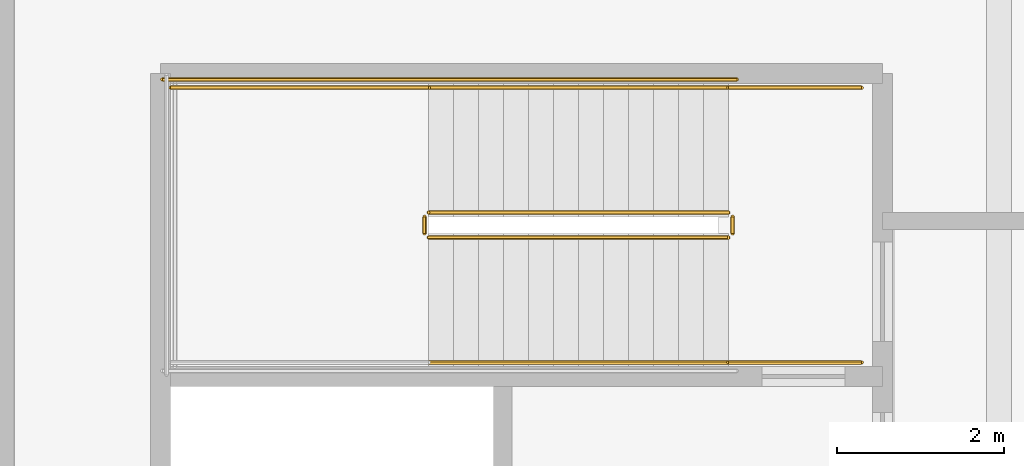
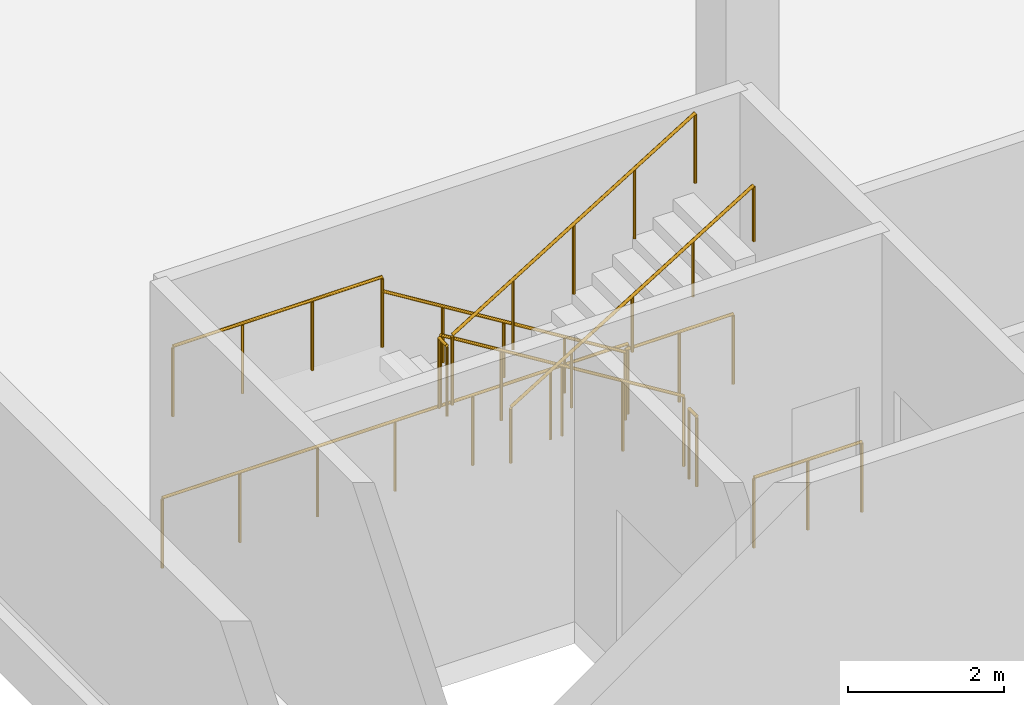
# One storey, part 91 of 112: 10 railings.
"""IFC4 building model written with IfcOpenShell, lengths in metres."""

import ifcopenshell
import ifcopenshell.guid

model = None  # the IFC model being written
_history = None  # IfcOwnerHistory: only IFC2X3 demands one
_inside = {}  # id of a spatial element -> (the spatial element, [elements in it])
_under = {}  # id of a project, library or spatial element -> (it, [spatial elements below it])
_declared = {}  # id of a project -> (the project, [libraries it declares])
_typed = {}  # id of a type object -> (the type object, [elements of that type])
_made_of = {}  # id of a material, layer set ... -> (it, [elements and type objects made of it])


def new_model(schema):
    """Start an empty IFC model of exactly this schema.

    Asked for "IFC4X3", IfcOpenShell would pick the latest addendum, in which some entities
    have other attributes; the version numbers below select the first issue.
    IFC2X3 requires an IfcOwnerHistory on every rooted entity: one is made here for all.
    """
    global model, _history
    if schema == "IFC4X3":
        model = ifcopenshell.file(schema_version=(4, 3, 0, 0))
    else:
        model = ifcopenshell.file(schema=schema)
    _inside.clear()
    _under.clear()
    _declared.clear()
    _typed.clear()
    _made_of.clear()
    _history = None
    if model.schema == "IFC2X3":
        org = make("IfcOrganization", Name="unknown")
        user = make(
            "IfcPersonAndOrganization",
            ThePerson=make("IfcPerson", FamilyName="unknown"),
            TheOrganization=org,
        )
        app = make(
            "IfcApplication",
            ApplicationDeveloper=org,
            Version="unknown",
            ApplicationFullName="unknown",
            ApplicationIdentifier="unknown",
        )
        _history = make(
            "IfcOwnerHistory",
            OwningUser=user,
            OwningApplication=app,
            ChangeAction="ADDED",
            CreationDate=0,
        )
    return model


def make(cls, **values):
    """One entity of the class cls with the attributes given. An attribute that is None is left unset."""
    return model.create_entity(
        cls, **{name: value for name, value in values.items() if value is not None}
    )


def rooted(cls, **values):
    """An entity with a GlobalId (a new one), such as an element, a storey or a relation."""
    return make(cls, GlobalId=ifcopenshell.guid.new(), OwnerHistory=_history, **values)


def si_unit(unit_type, name, prefix=None):
    """IfcSIUnit, for example si_unit("LENGTHUNIT", "METRE", prefix="MILLI")."""
    return make("IfcSIUnit", UnitType=unit_type, Prefix=prefix, Name=name)


def assignment(units):
    """IfcUnitAssignment: the units of a project."""
    return None if units is None else make("IfcUnitAssignment", Units=units)


def point(xyz):
    """IfcCartesianPoint."""
    return None if xyz is None else make("IfcCartesianPoint", Coordinates=xyz)


def direction(xyz):
    """IfcDirection."""
    return None if xyz is None else make("IfcDirection", DirectionRatios=xyz)


def frame(location, z_axis=None, x_axis=None):
    """IfcAxis2Placement3D, a coordinate frame: its origin and axes. An axis left out is left unset."""
    return make(
        "IfcAxis2Placement3D",
        Location=point(location),
        Axis=direction(z_axis),
        RefDirection=direction(x_axis),
    )


def frame_2d(location, x_axis=None):
    """IfcAxis2Placement2D, a coordinate frame in the plane: its origin and x axis."""
    return make(
        "IfcAxis2Placement2D", Location=point(location), RefDirection=direction(x_axis)
    )


def origin():
    """The frame at (0, 0, 0) with its axes left unset."""
    return frame((0.0, 0.0, 0.0))


def origin_2d():
    """The frame at (0, 0) in the plane with its x axis left unset."""
    return frame_2d((0.0, 0.0))


def place(relative_to, where):
    """IfcLocalPlacement: puts the frame where relative to a parent placement (None: the world)."""
    return make(
        "IfcLocalPlacement", PlacementRelTo=relative_to, RelativePlacement=where
    )


def context(
    kind, dimensions, precision=None, world=None, true_north=None, identifier=None
):
    """IfcGeometricRepresentationContext, for example the 3D "Model" context."""
    return make(
        "IfcGeometricRepresentationContext",
        ContextIdentifier=identifier,
        ContextType=kind,
        CoordinateSpaceDimension=dimensions,
        Precision=precision,
        WorldCoordinateSystem=world,
        TrueNorth=true_north,
    )


def subcontext(parent, identifier, kind, view, scale=None):
    """IfcGeometricRepresentationSubContext, for example "Body" below "Model"."""
    return make(
        "IfcGeometricRepresentationSubContext",
        ContextIdentifier=identifier,
        ContextType=kind,
        ParentContext=parent,
        TargetScale=scale,
        TargetView=view,
    )


def project(units=None, contexts=None):
    """IfcProject with its units and contexts."""
    return rooted(
        "IfcProject",
        Name="project",
        RepresentationContexts=contexts,
        UnitsInContext=assignment(units),
    )


def spatial(cls, under=None, at=None, **own):
    """A site, building, storey or space (cls), placed at a placement, below another one or the project."""
    s = rooted(cls, ObjectPlacement=at, **own)
    if under is not None:
        _under.setdefault(under.id(), (under, []))[1].append(s)
    return s


def profile(cls, at=None, kind="AREA", **sizes):
    """A parametric profile (cls). Its sizes go by their IFC names, for example OverallWidth=200.0."""
    return make(cls, ProfileType=kind, Position=at, **sizes)


def circle(**sizes):
    """IfcCircleProfileDef."""
    return profile("IfcCircleProfileDef", **sizes)


def extrude(swept, where, along, depth):
    """IfcExtrudedAreaSolid: the profile swept, set in the frame where, extruded along a direction by depth."""
    return make(
        "IfcExtrudedAreaSolid",
        SweptArea=swept,
        Position=where,
        ExtrudedDirection=direction(along),
        Depth=depth,
    )


def shape(context_of_items, identifier, shape_type, items):
    """IfcShapeRepresentation: the items that make up one representation, for example the "Body"."""
    return make(
        "IfcShapeRepresentation",
        ContextOfItems=context_of_items,
        RepresentationIdentifier=identifier,
        RepresentationType=shape_type,
        Items=items,
    )


def material(Name=None, Category=None):
    """IfcMaterial."""
    return make("IfcMaterial", Name=Name, Category=Category)


def made_of(thing, what):
    """Note that an element or type object is made of a material, layer set ...; save() writes the relation."""
    if what is not None:
        _made_of.setdefault(what.id(), (what, []))[1].append(thing)
    return thing


def type_object(cls, material=None, **own):
    """A type object (cls), such as IfcWallType, which elements share."""
    return made_of(rooted(cls, **own), material)


def element(
    cls,
    number,
    at=None,
    inside=None,
    cuts=None,
    type_object=None,
    material=None,
    context=None,
    identifier="Body",
    shape_type=None,
    held_by="IfcProductDefinitionShape",
    body=None,
    shapes=None,
    **own,
):
    """One element of the class cls, such as IfcWall. Its Tag is "e" and its number.

    at: its placement. inside: the storey or other place that contains it. cuts: it is an
    opening in that element (IfcRelVoidsElement). A single representation is given by context,
    identifier, shape_type and body (its items); several are given by shapes. held_by: the class
    of the entity that holds the representations. save() writes the other relations.
    """
    e = rooted(cls, Tag="e%d" % number, ObjectPlacement=at, **own)
    if body is not None:
        shapes = [shape(context, identifier, shape_type, body)]
    if shapes is not None:
        e.Representation = make(held_by, Representations=shapes)
    if inside is not None:
        _inside.setdefault(inside.id(), (inside, []))[1].append(e)
    if cuts is not None:
        rooted(
            "IfcRelVoidsElement", RelatingBuildingElement=cuts, RelatedOpeningElement=e
        )
    if type_object is not None:
        _typed.setdefault(type_object.id(), (type_object, []))[1].append(e)
    return made_of(e, material)


def aggregate(whole, parts):
    """IfcRelAggregates: a whole, such as a stair, and the parts it consists of."""
    return rooted("IfcRelAggregates", RelatingObject=whole, RelatedObjects=parts)


def save(model, path):
    """Write the relations noted so far, then the file.

    IfcRelAggregates (storeys below a building ...), IfcRelContainedInSpatialStructure (elements
    in a storey), IfcRelDefinesByType, IfcRelAssociatesMaterial and IfcRelDeclares: one each for
    every whole, place, type object, material and project.
    """
    for whole, parts in _under.values():
        aggregate(whole, parts)
    for where, things in _inside.values():
        rooted(
            "IfcRelContainedInSpatialStructure",
            RelatedElements=things,
            RelatingStructure=where,
        )
    for kind, things in _typed.values():
        rooted("IfcRelDefinesByType", RelatedObjects=things, RelatingType=kind)
    for what, things in _made_of.values():
        rooted("IfcRelAssociatesMaterial", RelatedObjects=things, RelatingMaterial=what)
    for by, libraries in _declared.values():
        rooted("IfcRelDeclares", RelatingContext=by, RelatedDefinitions=libraries)
    model.write(path)


model = new_model("IFC4")

# Units and contexts
model_context = context("Model", 3, precision=1e-05, world=origin(), true_north=direction((0.0, 1.0)))
body_context = subcontext(model_context, "Body", "Model", "MODEL_VIEW")
ifc_project = project(units=[si_unit("LENGTHUNIT", "METRE"), si_unit("AREAUNIT", "SQUARE_METRE"), si_unit("VOLUMEUNIT", "CUBIC_METRE"), si_unit("PLANEANGLEUNIT", "RADIAN"), si_unit("MASSUNIT", "GRAM", prefix="KILO")], contexts=[model_context])

# Site, building, storey
site_placement = place(None, origin())
site = spatial("IfcSite", under=ifc_project, at=site_placement, CompositionType="ELEMENT")
building_placement = place(site_placement, origin())
building = spatial("IfcBuilding", under=site, at=building_placement, Name="Kamomehara Wholesale Market", CompositionType="ELEMENT")
storey_placement = place(building_placement, frame((0.0, 0.0, 6.60009765625)))
storey = spatial("IfcBuildingStorey", under=building, at=storey_placement, Name="L01", CompositionType="ELEMENT", Elevation=6.60009765625)

# Railings
ifc_material_1 = material(Name="Steel SN400B", Category="steel")
railing_type_1 = type_object("IfcRailingType", Name="RAL-HND-900", PredefinedType="HANDRAIL", material=ifc_material_1)
railing_1_placement = place(storey_placement, frame((8.75, 69.25, 0.1845703125)))
element("IfcRailing", 1, at=railing_1_placement, inside=storey, type_object=railing_type_1, Name="L01 ST-03 stair handrail 1", PredefinedType="HANDRAIL", context=body_context, shape_type="SweptSolid", body=[
    extrude(circle(Radius=0.02392578125, at=origin_2d()), frame((0.0, 0.0, 0.8759765625), z_axis=(-0.85167021472, 0.0, 0.524078090897), x_axis=(0.0, -1.0, 0.0)), (0.0, 0.0, 1.0), 4.22705078125),
    extrude(circle(Radius=0.02099609375, at=origin_2d()), origin(), (0.0, 0.0, 1.0), 0.851806640625),
    extrude(circle(Radius=0.02099609375, at=origin_2d()), frame((-0.89990234375, 0.0, 0.5537109375)), (0.0, 0.0, 1.0), 0.851806640625),
    extrude(circle(Radius=0.02099609375, at=origin_2d()), frame((-1.800048828125, 0.0, 1.107666015625)), (0.0, 0.0, 1.0), 0.851806640625),
    extrude(circle(Radius=0.02099609375, at=origin_2d()), frame((-2.7001953125, 0.0, 1.66162109375)), (0.0, 0.0, 1.0), 0.851806640625),
    extrude(circle(Radius=0.02099609375, at=origin_2d()), frame((-3.60009765625, 0.0, 2.21533203125)), (0.0, 0.0, 1.0), 0.851806640625),
])
railing_2_placement = place(storey_placement, frame((5.14990234375, 65.949951171875, 2.58447265625)))
element("IfcRailing", 2, at=railing_2_placement, inside=storey, type_object=railing_type_1, Name="L01 ST-03 stair handrail 2", PredefinedType="HANDRAIL", context=body_context, shape_type="SweptSolid", body=[
    extrude(circle(Radius=0.02392578125, at=origin_2d()), frame((0.0, 0.0, 0.8759765625), z_axis=(0.85167021472, 0.0, 0.524078090897), x_axis=(0.0, 1.0, 0.0)), (0.0, 0.0, 1.0), 4.22705078125),
    extrude(circle(Radius=0.02099609375, at=origin_2d()), origin(), (0.0, 0.0, 1.0), 0.851806640625),
    extrude(circle(Radius=0.02099609375, at=origin_2d()), frame((0.89990234375, 0.0, 0.5537109375)), (0.0, 0.0, 1.0), 0.851806640625),
    extrude(circle(Radius=0.02099609375, at=origin_2d()), frame((1.800048828125, 0.0, 1.107666015625)), (0.0, 0.0, 1.0), 0.851806640625),
    extrude(circle(Radius=0.02099609375, at=origin_2d()), frame((2.7001953125, 0.0, 1.66162109375)), (0.0, 0.0, 1.0), 0.851806640625),
    extrude(circle(Radius=0.02099609375, at=origin_2d()), frame((3.60009765625, 0.0, 2.21533203125)), (0.0, 0.0, 1.0), 0.851806640625),
])
ifc_material_2 = material(Name="Steel SN400B", Category="steel")
railing_type_2 = type_object("IfcRailingType", Name="RAL-INT-1100", PredefinedType="BALUSTRADE", material=ifc_material_2)
railing_3_placement = place(storey_placement, frame((8.75, 67.75, 0.1845703125)))
element("IfcRailing", 3, at=railing_3_placement, inside=storey, type_object=railing_type_2, Name="L01 ST-03 stair guard 1", PredefinedType="BALUSTRADE", context=body_context, shape_type="SweptSolid", body=[
    extrude(circle(Radius=0.02392578125, at=origin_2d()), frame((0.0, 0.0, 1.09619140625), z_axis=(-0.85167021472, 0.0, 0.524078090897), x_axis=(0.0, -1.0, 0.0)), (0.0, 0.0, 1.0), 4.22705078125),
    extrude(circle(Radius=0.02099609375, at=origin_2d()), origin(), (0.0, 0.0, 1.0), 1.072021484375),
    extrude(circle(Radius=0.02099609375, at=origin_2d()), frame((-0.89990234375, 0.0, 0.5537109375)), (0.0, 0.0, 1.0), 1.072021484375),
    extrude(circle(Radius=0.02099609375, at=origin_2d()), frame((-1.800048828125, 0.0, 1.107666015625)), (0.0, 0.0, 1.0), 1.072021484375),
    extrude(circle(Radius=0.02099609375, at=origin_2d()), frame((-2.7001953125, 0.0, 1.66162109375)), (0.0, 0.0, 1.0), 1.072021484375),
    extrude(circle(Radius=0.02099609375, at=origin_2d()), frame((-3.60009765625, 0.0, 2.21533203125)), (0.0, 0.0, 1.0), 1.072021484375),
])
railing_4_placement = place(storey_placement, frame((5.10009765625, 67.699951171875, 2.39990234375)))
element("IfcRailing", 4, at=railing_4_placement, inside=storey, type_object=railing_type_2, Name="L01 ST-03 stair guard 2", PredefinedType="BALUSTRADE", context=body_context, shape_type="SweptSolid", body=[
    extrude(circle(Radius=0.02392578125, at=origin_2d()), frame((0.0, 0.0, 1.09619140625), z_axis=(0.0, -1.0, 0.0), x_axis=(1.0, 0.0, 0.0)), (0.0, 0.0, 1.0), 0.199951171875),
    extrude(circle(Radius=0.02099609375, at=origin_2d()), origin(), (0.0, 0.0, 1.0), 1.072021484375),
    extrude(circle(Radius=0.02099609375, at=origin_2d()), frame((0.0, -0.199951171875, 0.0)), (0.0, 0.0, 1.0), 1.072021484375),
])
railing_5_placement = place(storey_placement, frame((5.14990234375, 69.25, 2.39990234375)))
element("IfcRailing", 5, at=railing_5_placement, inside=storey, type_object=railing_type_2, Name="L01 ST-03 stair guard 3", PredefinedType="BALUSTRADE", context=body_context, shape_type="SweptSolid", body=[
    extrude(circle(Radius=0.02392578125, at=origin_2d()), frame((0.0, 0.0, 1.09619140625), z_axis=(-1.0, 0.0, 0.0), x_axis=(0.0, -1.0, 0.0)), (0.0, 0.0, 1.0), 3.099853515625),
    extrude(circle(Radius=0.02099609375, at=origin_2d()), origin(), (0.0, 0.0, 1.0), 1.072021484375),
    extrude(circle(Radius=0.02099609375, at=origin_2d()), frame((-1.033203125, 0.0, 0.0)), (0.0, 0.0, 1.0), 1.072021484375),
    extrude(circle(Radius=0.02099609375, at=origin_2d()), frame((-2.066650390625, 0.0, 0.0)), (0.0, 0.0, 1.0), 1.072021484375),
    extrude(circle(Radius=0.02099609375, at=origin_2d()), frame((-3.099853515625, 0.0, 0.0)), (0.0, 0.0, 1.0), 1.072021484375),
])
railing_6_placement = place(storey_placement, frame((5.14990234375, 67.449951171875, 2.58447265625)))
element("IfcRailing", 6, at=railing_6_placement, inside=storey, type_object=railing_type_2, Name="L01 ST-03 stair guard 6", PredefinedType="BALUSTRADE", context=body_context, shape_type="SweptSolid", body=[
    extrude(circle(Radius=0.02392578125, at=origin_2d()), frame((0.0, 0.0, 1.09619140625), z_axis=(0.85167021472, 0.0, 0.524078090897), x_axis=(0.0, 1.0, 0.0)), (0.0, 0.0, 1.0), 4.22705078125),
    extrude(circle(Radius=0.02099609375, at=origin_2d()), origin(), (0.0, 0.0, 1.0), 1.072021484375),
    extrude(circle(Radius=0.02099609375, at=origin_2d()), frame((0.89990234375, 0.0, 0.5537109375)), (0.0, 0.0, 1.0), 1.072021484375),
    extrude(circle(Radius=0.02099609375, at=origin_2d()), frame((1.800048828125, 0.0, 1.107666015625)), (0.0, 0.0, 1.0), 1.072021484375),
    extrude(circle(Radius=0.02099609375, at=origin_2d()), frame((2.7001953125, 0.0, 1.66162109375)), (0.0, 0.0, 1.0), 1.072021484375),
    extrude(circle(Radius=0.02099609375, at=origin_2d()), frame((3.60009765625, 0.0, 2.21533203125)), (0.0, 0.0, 1.0), 1.072021484375),
])
railing_7_placement = place(storey_placement, frame((8.800048828125, 67.699951171875, 0.0)))
element("IfcRailing", 7, at=railing_7_placement, inside=storey, type_object=railing_type_2, Name="L01 ST-03 stair guard 7", PredefinedType="BALUSTRADE", context=body_context, shape_type="SweptSolid", body=[
    extrude(circle(Radius=0.02392578125, at=origin_2d()), frame((0.0, 0.0, 1.09619140625), z_axis=(0.0, -1.0, 0.0), x_axis=(1.0, 0.0, 0.0)), (0.0, 0.0, 1.0), 0.199951171875),
    extrude(circle(Radius=0.02099609375, at=origin_2d()), origin(), (0.0, 0.0, 1.0), 1.072021484375),
    extrude(circle(Radius=0.02099609375, at=origin_2d()), frame((0.0, -0.199951171875, 0.0)), (0.0, 0.0, 1.0), 1.072021484375),
])
for number, where, name in (
    (8, (10.35009765625, 69.25, 0.0), "L01 ST-03 stair guard 8"),
    (9, (10.35009765625, 65.949951171875, 0.0), "L01 ST-03 stair guard 9"),
):
    element("IfcRailing", number, at=place(storey_placement, frame(where)), inside=storey, type_object=railing_type_2, Name=name, PredefinedType="BALUSTRADE", context=body_context, shape_type="SweptSolid", body=[
        extrude(circle(Radius=0.02392578125, at=origin_2d()), frame((0.0, 0.0, 1.09619140625), z_axis=(-1.0, 0.0, 0.0), x_axis=(0.0, -1.0, 0.0)), (0.0, 0.0, 1.0), 1.60009765625),
        extrude(circle(Radius=0.02099609375, at=origin_2d()), origin(), (0.0, 0.0, 1.0), 1.072021484375),
        extrude(circle(Radius=0.02099609375, at=origin_2d()), frame((-0.800048828125, 0.0, 0.0)), (0.0, 0.0, 1.0), 1.072021484375),
        extrude(circle(Radius=0.02099609375, at=origin_2d()), frame((-1.60009765625, 0.0, 0.0)), (0.0, 0.0, 1.0), 1.072021484375),
    ])
railing_8_placement = place(storey_placement, frame((8.85009765625, 69.35009765625, 0.0)))
element("IfcRailing", 10, at=railing_8_placement, inside=storey, type_object=railing_type_2, Name="L01 ST-03 stair guard 10", PredefinedType="BALUSTRADE", context=body_context, shape_type="SweptSolid", body=[
    extrude(circle(Radius=0.02392578125, at=origin_2d()), frame((0.0, 0.0, 1.09619140625), z_axis=(-1.0, 0.0, 0.0), x_axis=(0.0, -1.0, 0.0)), (0.0, 0.0, 1.0), 6.900146484375),
    extrude(circle(Radius=0.02099609375, at=origin_2d()), origin(), (0.0, 0.0, 1.0), 1.072021484375),
    extrude(circle(Radius=0.02099609375, at=origin_2d()), frame((-1.14990234375, 0.0, 0.0)), (0.0, 0.0, 1.0), 1.072021484375),
    extrude(circle(Radius=0.02099609375, at=origin_2d()), frame((-2.300048828125, 0.0, 0.0)), (0.0, 0.0, 1.0), 1.072021484375),
    extrude(circle(Radius=0.02099609375, at=origin_2d()), frame((-3.4501953125, 0.0, 0.0)), (0.0, 0.0, 1.0), 1.072021484375),
    extrude(circle(Radius=0.02099609375, at=origin_2d()), frame((-4.60009765625, 0.0, 0.0)), (0.0, 0.0, 1.0), 1.072021484375),
    extrude(circle(Radius=0.02099609375, at=origin_2d()), frame((-5.75, 0.0, 0.0)), (0.0, 0.0, 1.0), 1.072021484375),
    extrude(circle(Radius=0.02099609375, at=origin_2d()), frame((-6.900146484375, 0.0, 0.0)), (0.0, 0.0, 1.0), 1.072021484375),
])

save(model, "model.ifc")
